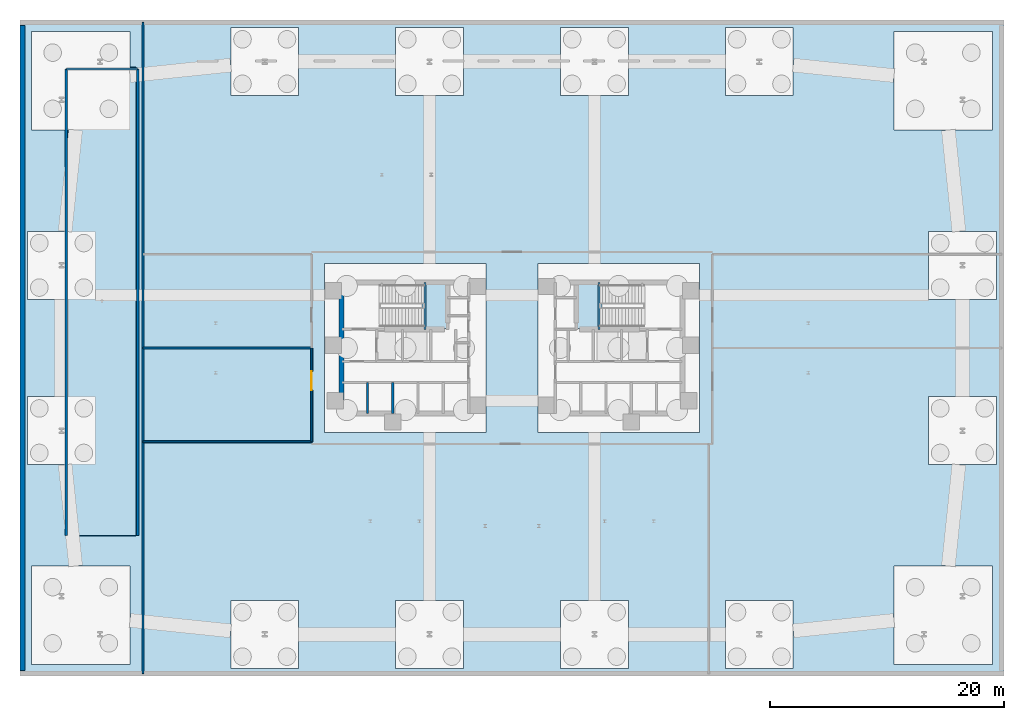
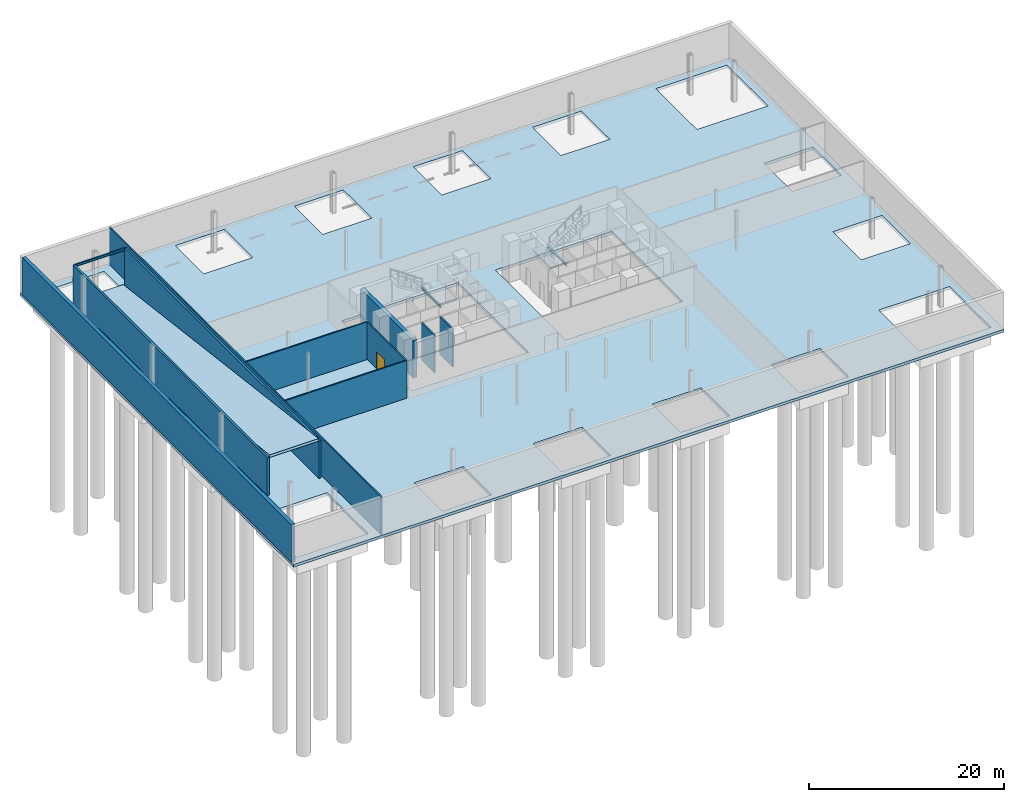
# One storey, part 10 of 16: 10 walls, 4 slabs, 3 beams, 1 door, 1 opening, 2 elements without a shape of their own.
"""IFC4 building model written with IfcOpenShell, lengths in metres."""

from ifc_helpers import new_model, si_unit, direction, frame, frame_2d, origin, origin_2d, place, context, subcontext, project, spatial, polyline, rectangle, i_section, outline, extrude, material, layer, layer_set, material_profile, profile_set, type_object, element, fill, aggregate, save


model = new_model("IFC4")

# Units and contexts
model_context = context("Model", 3, precision=1e-05, world=origin(), true_north=direction((0.0, 1.0)))
body_context = subcontext(model_context, "Body", "Model", "MODEL_VIEW")
ifc_project = project(units=[si_unit("LENGTHUNIT", "METRE"), si_unit("AREAUNIT", "SQUARE_METRE"), si_unit("VOLUMEUNIT", "CUBIC_METRE"), si_unit("PLANEANGLEUNIT", "RADIAN"), si_unit("MASSUNIT", "GRAM", prefix="KILO")], contexts=[model_context])

# Site, building, storey
site_placement = place(None, origin())
site = spatial("IfcSite", under=ifc_project, at=site_placement, CompositionType="ELEMENT")
building_placement = place(site_placement, origin())
building = spatial("IfcBuilding", under=site, at=building_placement, Name="Menara Jurai Vektor", CompositionType="ELEMENT")
storey_placement = place(building_placement, frame((0.0, 0.0, -5.0)))
storey = spatial("IfcBuildingStorey", under=building, at=storey_placement, Name="B1", CompositionType="ELEMENT", Elevation=-5.0)

# Beams
ifc_material_1 = material(Name="Steel S355", Category="steel")
ifc_material_profile = material_profile(ifc_material_1, i_section(OverallWidth=0.1650390625, OverallDepth=0.302978515625, WebThickness=0.006103515625, FlangeThickness=0.010009765625, FilletRadius=0.009033203125, at=origin_2d()), Name="UKB 305x165x40")
ifc_profile_set = profile_set([ifc_material_profile], Name="Steel S355")
beam_type = type_object("IfcBeamType", Name="STR-LN-305", PredefinedType="LINTEL", material=ifc_profile_set)
beam_placement = place(storey_placement, frame((-38.050048828125, 23.800048828125, 4.548583984375), z_axis=(1.0, 0.0, 0.0), x_axis=(0.0, 1.0, 0.0)))
element("IfcBeam", 1, at=beam_placement, inside=storey, type_object=beam_type, Name="Basement Vehicle Ramp Portal Lintel", PredefinedType="LINTEL", context=body_context, shape_type="SweptSolid", body=[
    extrude(i_section(OverallWidth=0.1650390625, OverallDepth=0.302978515625, WebThickness=0.006103515625, FlangeThickness=0.010009765625, FilletRadius=0.009033203125, at=origin_2d()), origin(), (0.0, 0.0, 1.0), 6.10009765625),
])
for number, where, z_axis, x_axis, name in (
    (2, (-7.429931640625, 1.60009765625, 2.1484375), (0.0, 1.0, 0.0), (-1.0, 0.0, 0.0), "Stair Half-Landing Nosing Trimmer ST1-1 B1"),
    (3, (7.429931640625, 1.60009765625, 2.1484375), (0.0, 1.0, 0.0), (-1.0, 0.0, 0.0), "Stair Half-Landing Nosing Trimmer ST2-1 B1"),
):
    element("IfcBeam", number, at=place(storey_placement, frame(where, z_axis=z_axis, x_axis=x_axis)), inside=storey, type_object=beam_type, Name=name, PredefinedType="LINTEL", context=body_context, shape_type="SweptSolid", body=[
        extrude(i_section(OverallWidth=0.1650390625, OverallDepth=0.302978515625, WebThickness=0.006103515625, FlangeThickness=0.010009765625, FilletRadius=0.009033203125, at=origin_2d()), origin(), (0.0, 0.0, 1.0), 4.0),
    ])

# Slab
ifc_material_2 = material(Name="Concrete C40/50", Category="concrete")
ifc_layer_1 = layer(ifc_material_2, 0.300048828125)
ifc_layer_set_1 = layer_set([ifc_layer_1], Name="Concrete C40/50")
slab_type_1 = type_object("IfcSlabType", Name="RAMP-SLAB-300", PredefinedType="USERDEFINED", material=ifc_layer_set_1)
slab_1_placement = place(storey_placement, frame((-37.89990234375, 24.0, 0.0), z_axis=(0.0, 0.124034734589, 0.992277876714), x_axis=(1.0, 0.0, 0.0)))
element("IfcSlab", 4, at=slab_1_placement, inside=storey, type_object=slab_type_1, Name="Basement Vehicle Ramp Slab VRF-01", ObjectType="RAMP", PredefinedType="USERDEFINED", context=body_context, shape_type="SweptSolid", body=[
    extrude(outline(polyline([(0.0, 0.0), (5.7998046875, 0.0), (5.7998046875, -40.311279296875), (0.0, -40.311279296875), (0.0, 0.0)])), origin(), (0.0, 0.0, -1.0), 0.300048828125),
])

# Stair, slab
stair_type = type_object("IfcStairType", Name="STAIR-DOGLEG-1500", PredefinedType="HALF_TURN_STAIR", material=ifc_material_2)
stair_1_placement = place(storey_placement, origin())
stair_1 = element("IfcStair", 5, at=stair_1_placement, inside=storey, type_object=stair_type, Name="Protected Exit Stair ST1 B1", PredefinedType="HALF_TURN_STAIR")
ifc_layer_2 = layer(ifc_material_2, 0.199951171875)
ifc_layer_set_2 = layer_set([ifc_layer_2], Name="Concrete C40/50")
slab_type_2 = type_object("IfcSlabType", Name="STAIR-LANDING-200", PredefinedType="LANDING", material=ifc_layer_set_2)
slab_2_placement = place(storey_placement, frame((0.0, 0.0, 2.300048828125)))
slab_2 = element("IfcSlab", 6, at=slab_2_placement, type_object=slab_type_2, Name="ST1 landing 1", PredefinedType="LANDING", context=body_context, shape_type="SweptSolid", body=[
    extrude(outline(polyline([(-7.679931640625, 1.64990234375), (-5.550048828125, 1.64990234375), (-5.550048828125, 5.550048828125), (-7.679931640625, 5.550048828125), (-7.679931640625, 1.64990234375)])), origin(), (0.0, 0.0, 1.0), 0.199951171875),
])
aggregate(stair_1, [slab_2])

stair_2_placement = place(storey_placement, origin())
stair_2 = element("IfcStair", 7, at=stair_2_placement, inside=storey, type_object=stair_type, Name="Protected Exit Stair ST2 B1", PredefinedType="HALF_TURN_STAIR")
slab_3_placement = place(storey_placement, frame((0.0, 0.0, 2.300048828125)))
slab_3 = element("IfcSlab", 8, at=slab_3_placement, type_object=slab_type_2, Name="ST2 landing 1", PredefinedType="LANDING", context=body_context, shape_type="SweptSolid", body=[
    extrude(outline(polyline([(5.550048828125, 1.64990234375), (7.679931640625, 1.64990234375), (7.679931640625, 5.550048828125), (5.550048828125, 5.550048828125), (5.550048828125, 1.64990234375)])), origin(), (0.0, 0.0, 1.0), 0.199951171875),
])
aggregate(stair_2, [slab_3])

# Slab
ifc_material_3 = material(Name="Concrete C50/60", Category="concrete")
ifc_layer_3 = layer(ifc_material_3, 0.35009765625)
ifc_layer_set_3 = layer_set([ifc_layer_3], Name="Concrete C50/60")
slab_type_3 = type_object("IfcSlabType", Name="STR-SLAB-BASE350", PredefinedType="BASESLAB", material=ifc_layer_set_3)
slab_4_placement = place(storey_placement, frame((0.0, 0.0, -0.35009765625)))
element("IfcSlab", 9, at=slab_4_placement, inside=storey, type_object=slab_type_3, Name="Basement B1 Piled-Raft Base Slab", PredefinedType="BASESLAB", context=body_context, shape_type="SweptSolid", body=[
    extrude(outline(polyline([(42.0, -28.0), (42.0, 28.0), (-42.0, 28.0), (-42.0, -28.0), (42.0, -28.0)]), holes=[polyline([(-16.0, -7.199951171875), (-16.0, 7.199951171875), (-2.199951171875, 7.199951171875), (-2.199951171875, -7.199951171875), (-16.0, -7.199951171875)]), polyline([(2.199951171875, -7.199951171875), (2.199951171875, 7.199951171875), (16.0, 7.199951171875), (16.0, -7.199951171875), (2.199951171875, -7.199951171875)]), polyline([(-41.013916015625, -27.013916015625), (-41.013916015625, -18.614013671875), (-32.614013671875, -18.614013671875), (-32.614013671875, -27.013916015625), (-41.013916015625, -27.013916015625)]), polyline([(32.614013671875, -27.013916015625), (32.614013671875, -18.614013671875), (41.013916015625, -18.614013671875), (41.013916015625, -27.013916015625), (32.614013671875, -27.013916015625)]), polyline([(32.614013671875, 18.614013671875), (32.614013671875, 27.013916015625), (41.013916015625, 27.013916015625), (41.013916015625, 18.614013671875), (32.614013671875, 18.614013671875)]), polyline([(-41.013916015625, 18.614013671875), (-41.013916015625, 27.013916015625), (-32.614013671875, 27.013916015625), (-32.614013671875, 18.614013671875), (-41.013916015625, 18.614013671875)]), polyline([(-24.006591796875, -27.35009765625), (-24.006591796875, -21.550048828125), (-18.206787109375, -21.550048828125), (-18.206787109375, -27.35009765625), (-24.006591796875, -27.35009765625)]), polyline([(-9.935546875, -27.35009765625), (-9.935546875, -21.550048828125), (-4.135498046875, -21.550048828125), (-4.135498046875, -27.35009765625), (-9.935546875, -27.35009765625)]), polyline([(4.135498046875, -27.35009765625), (4.135498046875, -21.550048828125), (9.935546875, -21.550048828125), (9.935546875, -27.35009765625), (4.135498046875, -27.35009765625)]), polyline([(18.206787109375, -27.35009765625), (18.206787109375, -21.550048828125), (24.006591796875, -21.550048828125), (24.006591796875, -27.35009765625), (18.206787109375, -27.35009765625)]), polyline([(35.550048828125, -9.959228515625), (35.550048828125, -4.1591796875), (41.35009765625, -4.1591796875), (41.35009765625, -9.959228515625), (35.550048828125, -9.959228515625)]), polyline([(35.550048828125, 4.1591796875), (35.550048828125, 9.959228515625), (41.35009765625, 9.959228515625), (41.35009765625, 4.1591796875), (35.550048828125, 4.1591796875)]), polyline([(18.206787109375, 21.550048828125), (18.206787109375, 27.35009765625), (24.006591796875, 27.35009765625), (24.006591796875, 21.550048828125), (18.206787109375, 21.550048828125)]), polyline([(4.135498046875, 21.550048828125), (4.135498046875, 27.35009765625), (9.935546875, 27.35009765625), (9.935546875, 21.550048828125), (4.135498046875, 21.550048828125)]), polyline([(-9.935546875, 21.550048828125), (-9.935546875, 27.35009765625), (-4.135498046875, 27.35009765625), (-4.135498046875, 21.550048828125), (-9.935546875, 21.550048828125)]), polyline([(-24.006591796875, 21.550048828125), (-24.006591796875, 27.35009765625), (-18.206787109375, 27.35009765625), (-18.206787109375, 21.550048828125), (-24.006591796875, 21.550048828125)]), polyline([(-41.35009765625, 4.1591796875), (-41.35009765625, 9.959228515625), (-35.550048828125, 9.959228515625), (-35.550048828125, 4.1591796875), (-41.35009765625, 4.1591796875)]), polyline([(-41.35009765625, -9.959228515625), (-41.35009765625, -4.1591796875), (-35.550048828125, -4.1591796875), (-35.550048828125, -9.959228515625), (-41.35009765625, -9.959228515625)])]), origin(), (0.0, 0.0, 1.0), 0.35009765625),
])

# Wall, opening, door
ifc_material_4 = material(Name="Gypsum Fireboard Partition", Category="gypsum")
ifc_layer_4 = layer(ifc_material_4, 0.14990234375)
ifc_layer_set_4 = layer_set([ifc_layer_4], Name="Gypsum Fireboard Partition")
wall_type_1 = type_object("IfcWallType", Name="INT-WALL-CORR-150", PredefinedType="PARTITIONING", material=ifc_layer_set_4)
wall_1_placement = place(storey_placement, frame((-17.10009765625, -8.0, 0.0), z_axis=(0.0, 0.0, 1.0), x_axis=(0.0, 1.0, 0.0)))
wall_1 = element("IfcWall", 10, at=wall_1_placement, inside=storey, type_object=wall_type_1, Name="Interior Wall IW-150 B1", PredefinedType="PARTITIONING", context=body_context, shape_type="SweptSolid", body=[
    extrude(rectangle(XDim=8.0, YDim=0.14990234375, at=frame_2d((4.0, 0.0))), origin(), (0.0, 0.0, 1.0), 4.699951171875),
])
opening_placement = place(wall_1_placement, frame((4.39990234375, 0.0, 0.0)))
opening = element("IfcOpeningElement", 11, at=opening_placement, cuts=wall_1, Name="Opening DB1-10", PredefinedType="OPENING", context=body_context, shape_type="SweptSolid", body=[
    extrude(rectangle(XDim=1.60009765625, YDim=2.14990234375, at=frame_2d((0.800048828125, 1.074951171875))), frame((0.0, 0.0849609375, 0.0), z_axis=(0.0, -1.0, 0.0), x_axis=(1.0, 0.0, 0.0)), (0.0, 0.0, 1.0), 0.169921875),
])
ifc_material_5 = material(Name="Fire-Rated Double Steel Door", Category="steel")
door_type = type_object("IfcDoorType", Name="DR-PLANT-DBL-1600", OperationType="NOTDEFINED", PredefinedType="DOOR", material=ifc_material_5)
door_placement = place(opening_placement, origin())
door = element("IfcDoor", 12, at=door_placement, inside=storey, type_object=door_type, Name="Interior Door DB1-10", OperationType="DOUBLE_DOOR_SINGLE_SWING", OverallHeight=2.14990234375, OverallWidth=1.60009765625, PredefinedType="DOOR", context=body_context, shape_type="SweptSolid", body=[
    extrude(rectangle(XDim=1.60009765625, YDim=2.14990234375, at=frame_2d((0.800048828125, 1.074951171875))), frame((0.0, 0.02490234375, 0.0), z_axis=(0.0, -1.0, 0.0), x_axis=(1.0, 0.0, 0.0)), (0.0, 0.0, 1.0), 0.050048828125),
])
fill(opening, door)

# Walls
for number, where, z_axis, x_axis, name in (
    (13, (-31.5, -8.0, 0.0), (0.0, 0.0, 1.0), (1.0, 0.0, 0.0), "Interior Wall IW-150 B1"),
    (14, (-31.5, 0.0, 0.0), (0.0, 0.0, 1.0), (1.0, 0.0, 0.0), "Interior Wall IW-150 B1"),
):
    element("IfcWall", number, at=place(storey_placement, frame(where, z_axis=z_axis, x_axis=x_axis)), inside=storey, type_object=wall_type_1, Name=name, PredefinedType="PARTITIONING", context=body_context, shape_type="SweptSolid", body=[
        extrude(rectangle(XDim=14.39990234375, YDim=0.14990234375, at=frame_2d((7.199951171875, 0.0))), origin(), (0.0, 0.0, 1.0), 4.699951171875),
    ])
wall_2_placement = place(storey_placement, frame((-31.5, -27.800048828125, 0.0), z_axis=(0.0, 0.0, 1.0), x_axis=(0.0, 1.0, 0.0)))
element("IfcWall", 15, at=wall_2_placement, inside=storey, type_object=wall_type_1, Name="Interior Wall IW-150 B1", PredefinedType="PARTITIONING", context=body_context, shape_type="SweptSolid", body=[
    extrude(rectangle(XDim=55.60009765625, YDim=0.14990234375, at=frame_2d((27.800048828125, 0.0))), origin(), (0.0, 0.0, 1.0), 4.699951171875),
])
ifc_layer_5 = layer(ifc_material_2, 0.199951171875)
ifc_layer_set_5 = layer_set([ifc_layer_5], Name="Concrete C40/50")
wall_type_2 = type_object("IfcWallType", Name="INT-WALL-SHAFT-200", PredefinedType="STANDARD", material=ifc_layer_set_5)
for number, where, z_axis, x_axis, name in (
    (16, (-12.340087890625, -5.60009765625, 0.0), (0.0, 0.0, 1.0), (0.0, 1.0, 0.0), "Interior Wall IW-200 B1"),
    (17, (-10.179931640625, -5.60009765625, 0.0), (0.0, 0.0, 1.0), (0.0, 1.0, 0.0), "Interior Wall IW-200 B1"),
):
    element("IfcWall", number, at=place(storey_placement, frame(where, z_axis=z_axis, x_axis=x_axis)), inside=storey, type_object=wall_type_2, Name=name, PredefinedType="STANDARD", context=body_context, shape_type="SweptSolid", body=[
        extrude(rectangle(XDim=2.650146484375, YDim=0.179931640625, at=frame_2d((1.3251953125, 0.0))), origin(), (0.0, 0.0, 1.0), 4.699951171875),
    ])
ifc_material_6 = material(Name="Concrete C60/75", Category="concrete")
ifc_layer_6 = layer(ifc_material_6, 0.449951171875)
ifc_layer_set_6 = layer_set([ifc_layer_6], Name="Concrete C60/75")
wall_type_3 = type_object("IfcWallType", Name="STR-WALL-CORE450", PredefinedType="SHEAR", material=ifc_layer_set_6)
wall_3_placement = place(storey_placement, frame((-14.56005859375, -5.375, 0.0), z_axis=(0.0, 0.0, 1.0), x_axis=(0.0, 1.0, 0.0)))
element("IfcWall", 18, at=wall_3_placement, inside=storey, type_object=wall_type_3, Name="Core Shear Wall CW-W-W B1", PredefinedType="SHEAR", context=body_context, shape_type="SweptSolid", body=[
    extrude(rectangle(XDim=10.75, YDim=0.449951171875, at=frame_2d((5.375, 0.0))), origin(), (0.0, 0.0, 1.0), 4.699951171875),
])
ifc_layer_7 = layer(ifc_material_3, 0.25)
ifc_layer_set_7 = layer_set([ifc_layer_7], Name="Concrete C50/60")
wall_type_4 = type_object("IfcWallType", Name="STR-WALL-RAMP250", PredefinedType="SHEAR", material=ifc_layer_set_7)
for number, where, z_axis, x_axis, name in (
    (19, (-38.050048828125, -16.0, 0.0), (0.0, 0.0, 1.0), (0.0, 1.0, 0.0), "Vehicle Ramp Trough Wall RW-RAMP-W"),
    (20, (-31.949951171875, -16.0, 0.0), (0.0, 0.0, 1.0), (0.0, 1.0, 0.0), "Vehicle Ramp Trough Wall RW-RAMP-E"),
):
    element("IfcWall", number, at=place(storey_placement, frame(where, z_axis=z_axis, x_axis=x_axis)), inside=storey, type_object=wall_type_4, Name=name, PredefinedType="SHEAR", context=body_context, shape_type="SweptSolid", body=[
        extrude(rectangle(XDim=39.800048828125, YDim=0.25, at=frame_2d((19.89990234375, 0.0))), origin(), (0.0, 0.0, 1.0), 4.699951171875),
    ])
ifc_layer_8 = layer(ifc_material_3, 0.419921875)
ifc_layer_set_8 = layer_set([ifc_layer_8], Name="Concrete C50/60")
wall_type_5 = type_object("IfcWallType", Name="STR-WALL-RET420", PredefinedType="SHEAR", material=ifc_layer_set_8)
wall_4_placement = place(storey_placement, frame((-41.7900390625, -27.550048828125, 0.0), z_axis=(0.0, 0.0, 1.0), x_axis=(0.0, 1.0, 0.0)))
element("IfcWall", 21, at=wall_4_placement, inside=storey, type_object=wall_type_5, Name="Basement Retaining Wall RW-W", PredefinedType="SHEAR", context=body_context, shape_type="SweptSolid", body=[
    extrude(rectangle(XDim=55.10009765625, YDim=0.419921875, at=frame_2d((27.550048828125, 0.0))), origin(), (0.0, 0.0, 1.0), 4.699951171875),
])

save(model, "model.ifc")
